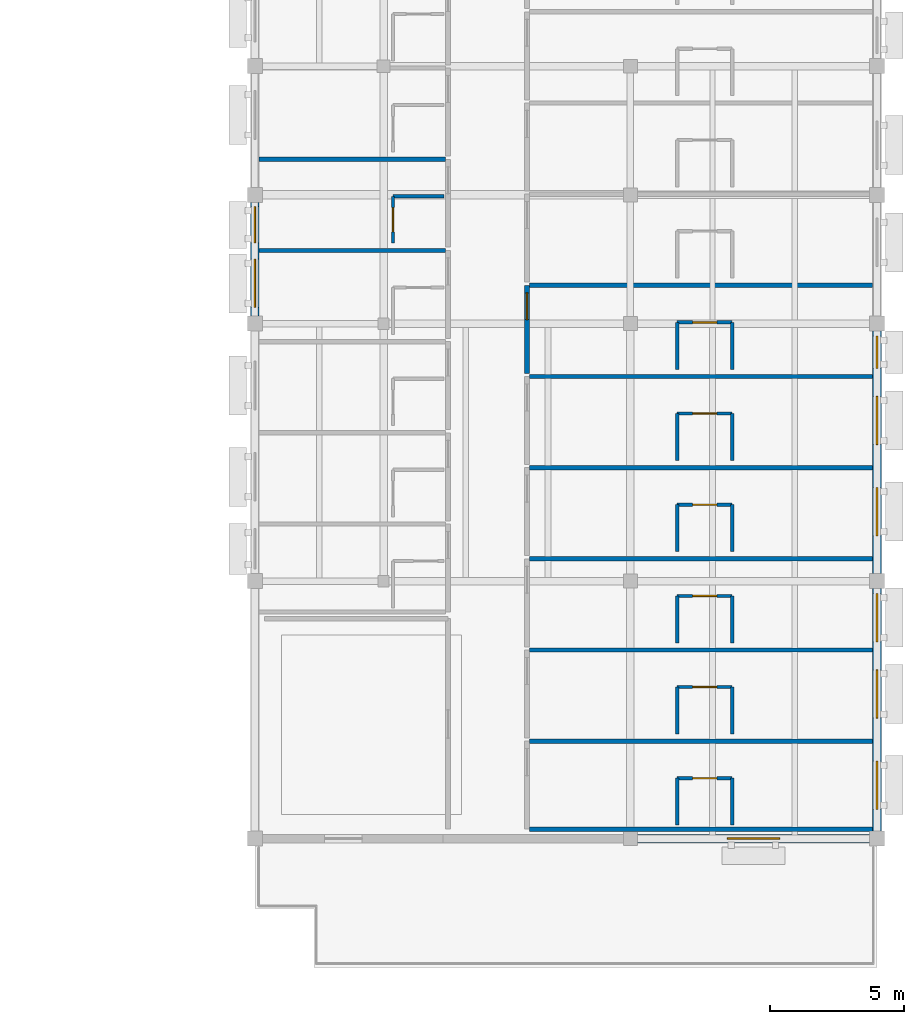
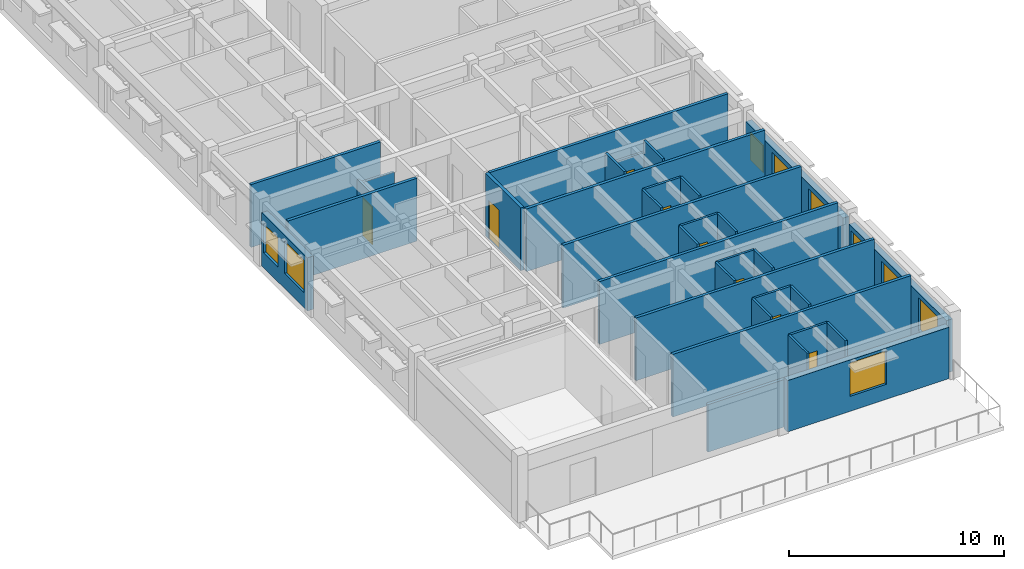
# One storey, part 26 of 40: 34 walls, 9 windows, 8 doors, 17 openings.
"""IFC4 building model written with IfcOpenShell, lengths in metres."""

from ifc_helpers import new_model, si_unit, direction, frame, frame_2d, origin, place, context, subcontext, project, spatial, rectangle, extrude, material, layer, layer_set, type_object, element, fill, save


model = new_model("IFC4")

# Units and contexts
model_context = context("Model", 3, precision=1e-05, world=origin(), true_north=direction((0.0, 1.0)))
body_context = subcontext(model_context, "Body", "Model", "MODEL_VIEW")
ifc_project = project(units=[si_unit("LENGTHUNIT", "METRE"), si_unit("AREAUNIT", "SQUARE_METRE"), si_unit("VOLUMEUNIT", "CUBIC_METRE"), si_unit("PLANEANGLEUNIT", "RADIAN"), si_unit("MASSUNIT", "GRAM", prefix="KILO")], contexts=[model_context])

# Site, building, storey
site_placement = place(None, origin())
site = spatial("IfcSite", under=ifc_project, at=site_placement, CompositionType="ELEMENT")
building_placement = place(site_placement, origin())
building = spatial("IfcBuilding", under=site, at=building_placement, Name="Veldera Park Congress Hotel", CompositionType="ELEMENT")
storey_placement = place(building_placement, frame((0.0, 0.0, 16.199951171875)))
storey = spatial("IfcBuildingStorey", under=building, at=storey_placement, Name="L03", CompositionType="ELEMENT", Elevation=16.199951171875)

# Wall, opening, window
ifc_material_1 = material(Name="Cross-laminated timber CLT V2M1.1", Category="wood")
ifc_layer_1 = layer(ifc_material_1, 0.320068359375)
ifc_layer_set_1 = layer_set([ifc_layer_1], Name="Cross-laminated timber CLT V2M1.1")
wall_type_1 = type_object("IfcWallType", Name="EW-CLT320", PredefinedType="STANDARD", material=ifc_layer_set_1)
wall_1_placement = place(storey_placement, frame((75.05810546875, -47.39990234375, 0.0), z_axis=(0.0, 0.0, 1.0), x_axis=(1.0, 0.0, 0.0)))
wall_1 = element("IfcWall", 1, at=wall_1_placement, inside=storey, type_object=wall_type_1, Name="L03 Exterior Wall EW3-L03-0210", PredefinedType="STANDARD", context=body_context, shape_type="SweptSolid", body=[
    extrude(rectangle(XDim=8.663818359375, YDim=0.320068359375, at=frame_2d((4.33203125, 0.0))), origin(), (0.0, 0.0, 1.0), 2.9150390625),
])
opening_1_placement = place(wall_1_placement, frame((3.35693359375, 0.0, 0.85009765625)))
opening_1 = element("IfcOpeningElement", 2, at=opening_1_placement, cuts=wall_1, Name="Opening WIN-1950", PredefinedType="OPENING", context=body_context, shape_type="SweptSolid", body=[
    extrude(rectangle(XDim=1.949951171875, YDim=1.89990234375, at=frame_2d((0.97509765625, 0.949951171875))), frame((0.0, 0.172119140625, 0.0), z_axis=(0.0, -1.0, 0.0), x_axis=(1.0, 0.0, 0.0)), (0.0, 0.0, 1.0), 0.343994140625),
])
ifc_material_2 = material(Name="Low-E Triple Insulating Glass Unit (SHGC 0.22)", Category="glass")
window_type_1 = type_object("IfcWindowType", Name="WIN-1950", PartitioningType="DOUBLE_PANEL_VERTICAL", PredefinedType="WINDOW", material=ifc_material_2)
window_1_placement = place(opening_1_placement, origin())
window_1 = element("IfcWindow", 3, at=window_1_placement, inside=storey, type_object=window_type_1, Name="L03 Window WIN-1950 187", OverallHeight=1.89990234375, OverallWidth=1.949951171875, PartitioningType="DOUBLE_PANEL_VERTICAL", PredefinedType="WINDOW", context=body_context, shape_type="SweptSolid", body=[
    extrude(rectangle(XDim=1.949951171875, YDim=1.89990234375, at=frame_2d((0.97509765625, 0.949951171875))), frame((0.0, 0.030029296875, 0.0), z_axis=(0.0, -1.0, 0.0), x_axis=(1.0, 0.0, 0.0)), (0.0, 0.0, 1.0), 0.06005859375),
])
fill(opening_1, window_1)

# Wall, openings, windows
wall_2_placement = place(storey_placement, frame((84.0, -47.1220703125, 0.0), z_axis=(0.0, 0.0, 1.0), x_axis=(0.0, 1.0, 0.0)))
wall_2 = element("IfcWall", 4, at=wall_2_placement, inside=storey, type_object=wall_type_1, Name="L03 Exterior Wall EW3-L03-0211", PredefinedType="STANDARD", context=body_context, shape_type="SweptSolid", body=[
    extrude(rectangle(XDim=9.044189453125, YDim=0.320068359375, at=frame_2d((4.52197265625, 0.0))), origin(), (0.0, 0.0, 1.0), 2.97509765625),
])
opening_2_placement = place(wall_2_placement, frame((0.81201171875, 0.0, 0.85009765625)))
opening_2 = element("IfcOpeningElement", 5, at=opening_2_placement, cuts=wall_2, Name="Opening WIN-1800", PredefinedType="OPENING", context=body_context, shape_type="SweptSolid", body=[
    extrude(rectangle(XDim=1.800048828125, YDim=1.85009765625, at=frame_2d((0.89990234375, 0.925048828125))), frame((0.0, 0.172119140625, 0.0), z_axis=(0.0, -1.0, 0.0), x_axis=(1.0, 0.0, 0.0)), (0.0, 0.0, 1.0), 0.343994140625),
])
opening_3_placement = place(wall_2_placement, frame((4.2119140625, 0.0, 0.85009765625)))
opening_3 = element("IfcOpeningElement", 6, at=opening_3_placement, cuts=wall_2, Name="Opening WIN-1800", PredefinedType="OPENING", context=body_context, shape_type="SweptSolid", body=[
    extrude(rectangle(XDim=1.800048828125, YDim=1.85009765625, at=frame_2d((0.89990234375, 0.925048828125))), frame((0.0, 0.172119140625, 0.0), z_axis=(0.0, -1.0, 0.0), x_axis=(1.0, 0.0, 0.0)), (0.0, 0.0, 1.0), 0.343994140625),
])
opening_4_placement = place(wall_2_placement, frame((7.05810546875, 0.0, 0.85009765625)))
opening_4 = element("IfcOpeningElement", 7, at=opening_4_placement, cuts=wall_2, Name="Opening WIN-1800", PredefinedType="OPENING", context=body_context, shape_type="SweptSolid", body=[
    extrude(rectangle(XDim=1.800048828125, YDim=1.85009765625, at=frame_2d((0.89990234375, 0.925048828125))), frame((0.0, 0.172119140625, 0.0), z_axis=(0.0, -1.0, 0.0), x_axis=(1.0, 0.0, 0.0)), (0.0, 0.0, 1.0), 0.343994140625),
])
window_type_2 = type_object("IfcWindowType", Name="WIN-1800", PartitioningType="SINGLE_PANEL", PredefinedType="WINDOW", material=ifc_material_2)
window_2_placement = place(opening_2_placement, origin())
window_2 = element("IfcWindow", 8, at=window_2_placement, inside=storey, type_object=window_type_2, Name="L03 Window WIN-1800 418", OverallHeight=1.85009765625, OverallWidth=1.800048828125, PartitioningType="SINGLE_PANEL", PredefinedType="WINDOW", context=body_context, shape_type="SweptSolid", body=[
    extrude(rectangle(XDim=1.800048828125, YDim=1.85009765625, at=frame_2d((0.89990234375, 0.925048828125))), frame((0.0, 0.030029296875, 0.0), z_axis=(0.0, -1.0, 0.0), x_axis=(1.0, 0.0, 0.0)), (0.0, 0.0, 1.0), 0.06005859375),
])
fill(opening_2, window_2)
window_3_placement = place(opening_3_placement, origin())
window_3 = element("IfcWindow", 9, at=window_3_placement, inside=storey, type_object=window_type_2, Name="L03 Window WIN-1800 419", OverallHeight=1.85009765625, OverallWidth=1.800048828125, PartitioningType="SINGLE_PANEL", PredefinedType="WINDOW", context=body_context, shape_type="SweptSolid", body=[
    extrude(rectangle(XDim=1.800048828125, YDim=1.85009765625, at=frame_2d((0.89990234375, 0.925048828125))), frame((0.0, 0.030029296875, 0.0), z_axis=(0.0, -1.0, 0.0), x_axis=(1.0, 0.0, 0.0)), (0.0, 0.0, 1.0), 0.06005859375),
])
fill(opening_3, window_3)
window_4_placement = place(opening_4_placement, origin())
window_4 = element("IfcWindow", 10, at=window_4_placement, inside=storey, type_object=window_type_2, Name="L03 Window WIN-1800 420", OverallHeight=1.85009765625, OverallWidth=1.800048828125, PartitioningType="SINGLE_PANEL", PredefinedType="WINDOW", context=body_context, shape_type="SweptSolid", body=[
    extrude(rectangle(XDim=1.800048828125, YDim=1.85009765625, at=frame_2d((0.89990234375, 0.925048828125))), frame((0.0, 0.030029296875, 0.0), z_axis=(0.0, -1.0, 0.0), x_axis=(1.0, 0.0, 0.0)), (0.0, 0.0, 1.0), 0.06005859375),
])
fill(opening_4, window_4)

wall_3_placement = place(storey_placement, frame((84.0, -37.52197265625, 0.0), z_axis=(0.0, 0.0, 1.0), x_axis=(0.0, 1.0, 0.0)))
wall_3 = element("IfcWall", 11, at=wall_3_placement, inside=storey, type_object=wall_type_1, Name="L03 Exterior Wall EW3-L03-0212", PredefinedType="STANDARD", context=body_context, shape_type="SweptSolid", body=[
    extrude(rectangle(XDim=9.0439453125, YDim=0.320068359375, at=frame_2d((4.52197265625, 0.0))), origin(), (0.0, 0.0, 1.0), 2.97509765625),
])
opening_5_placement = place(wall_3_placement, frame((1.412109375, 0.0, 0.85009765625)))
opening_5 = element("IfcOpeningElement", 12, at=opening_5_placement, cuts=wall_3, Name="Opening WIN-1800", PredefinedType="OPENING", context=body_context, shape_type="SweptSolid", body=[
    extrude(rectangle(XDim=1.800048828125, YDim=1.85009765625, at=frame_2d((0.89990234375, 0.925048828125))), frame((0.0, 0.172119140625, 0.0), z_axis=(0.0, -1.0, 0.0), x_axis=(1.0, 0.0, 0.0)), (0.0, 0.0, 1.0), 0.343994140625),
])
opening_6_placement = place(wall_3_placement, frame((4.81201171875, 0.0, 0.85009765625)))
opening_6 = element("IfcOpeningElement", 13, at=opening_6_placement, cuts=wall_3, Name="Opening WIN-1800", PredefinedType="OPENING", context=body_context, shape_type="SweptSolid", body=[
    extrude(rectangle(XDim=1.800048828125, YDim=1.85009765625, at=frame_2d((0.89990234375, 0.925048828125))), frame((0.0, 0.172119140625, 0.0), z_axis=(0.0, -1.0, 0.0), x_axis=(1.0, 0.0, 0.0)), (0.0, 0.0, 1.0), 0.343994140625),
])
opening_7_placement = place(wall_3_placement, frame((7.657958984375, 0.0, 0.85009765625)))
opening_7 = element("IfcOpeningElement", 14, at=opening_7_placement, cuts=wall_3, Name="Opening WIN-1200", PredefinedType="OPENING", context=body_context, shape_type="SweptSolid", body=[
    extrude(rectangle(XDim=1.199951171875, YDim=1.550048828125, at=frame_2d((0.60009765625, 0.77490234375))), frame((0.0, 0.172119140625, 0.0), z_axis=(0.0, -1.0, 0.0), x_axis=(1.0, 0.0, 0.0)), (0.0, 0.0, 1.0), 0.343994140625),
])
window_type_3 = type_object("IfcWindowType", Name="WIN-1200", PartitioningType="SINGLE_PANEL", PredefinedType="WINDOW", material=ifc_material_2)
window_5_placement = place(opening_7_placement, origin())
window_5 = element("IfcWindow", 15, at=window_5_placement, inside=storey, type_object=window_type_3, Name="L03 Window WIN-1200 423", OverallHeight=1.550048828125, OverallWidth=1.199951171875, PartitioningType="SINGLE_PANEL", PredefinedType="WINDOW", context=body_context, shape_type="SweptSolid", body=[
    extrude(rectangle(XDim=1.199951171875, YDim=1.550048828125, at=frame_2d((0.60009765625, 0.77490234375))), frame((0.0, 0.030029296875, 0.0), z_axis=(0.0, -1.0, 0.0), x_axis=(1.0, 0.0, 0.0)), (0.0, 0.0, 1.0), 0.06005859375),
])
fill(opening_7, window_5)
window_6_placement = place(opening_5_placement, origin())
window_6 = element("IfcWindow", 16, at=window_6_placement, inside=storey, type_object=window_type_2, Name="L03 Window WIN-1800 421", OverallHeight=1.85009765625, OverallWidth=1.800048828125, PartitioningType="SINGLE_PANEL", PredefinedType="WINDOW", context=body_context, shape_type="SweptSolid", body=[
    extrude(rectangle(XDim=1.800048828125, YDim=1.85009765625, at=frame_2d((0.89990234375, 0.925048828125))), frame((0.0, 0.030029296875, 0.0), z_axis=(0.0, -1.0, 0.0), x_axis=(1.0, 0.0, 0.0)), (0.0, 0.0, 1.0), 0.06005859375),
])
fill(opening_5, window_6)
window_7_placement = place(opening_6_placement, origin())
window_7 = element("IfcWindow", 17, at=window_7_placement, inside=storey, type_object=window_type_2, Name="L03 Window WIN-1800 422", OverallHeight=1.85009765625, OverallWidth=1.800048828125, PartitioningType="SINGLE_PANEL", PredefinedType="WINDOW", context=body_context, shape_type="SweptSolid", body=[
    extrude(rectangle(XDim=1.800048828125, YDim=1.85009765625, at=frame_2d((0.89990234375, 0.925048828125))), frame((0.0, 0.030029296875, 0.0), z_axis=(0.0, -1.0, 0.0), x_axis=(1.0, 0.0, 0.0)), (0.0, 0.0, 1.0), 0.06005859375),
])
fill(opening_6, window_7)

wall_4_placement = place(storey_placement, frame((60.800048828125, -23.677978515625, 0.0), z_axis=(0.0, 0.0, 1.0), x_axis=(0.0, -1.0, 0.0)))
wall_4 = element("IfcWall", 18, at=wall_4_placement, inside=storey, type_object=wall_type_1, Name="L03 Exterior Wall EW3-L03-0239", PredefinedType="STANDARD", context=body_context, shape_type="SweptSolid", body=[
    extrude(rectangle(XDim=4.244140625, YDim=0.320068359375, at=frame_2d((2.1220703125, 0.0))), origin(), (0.0, 0.0, 1.0), 3.01513671875),
])
opening_8_placement = place(wall_4_placement, frame((2.117919921875, 0.0, 0.85009765625)))
opening_8 = element("IfcOpeningElement", 19, at=opening_8_placement, cuts=wall_4, Name="Opening WIN-1800", PredefinedType="OPENING", context=body_context, shape_type="SweptSolid", body=[
    extrude(rectangle(XDim=1.800048828125, YDim=1.85009765625, at=frame_2d((0.89990234375, 0.925048828125))), frame((0.0, 0.172119140625, 0.0), z_axis=(0.0, -1.0, 0.0), x_axis=(1.0, 0.0, 0.0)), (0.0, 0.0, 1.0), 0.343994140625),
])
opening_9_placement = place(wall_4_placement, frame((0.160888671875, 0.0, 0.85009765625)))
opening_9 = element("IfcOpeningElement", 20, at=opening_9_placement, cuts=wall_4, Name="Opening WIN-1350", PredefinedType="OPENING", context=body_context, shape_type="SweptSolid", body=[
    extrude(rectangle(XDim=1.35009765625, YDim=1.64990234375, at=frame_2d((0.675048828125, 0.824951171875))), frame((0.0, 0.172119140625, 0.0), z_axis=(0.0, -1.0, 0.0), x_axis=(1.0, 0.0, 0.0)), (0.0, 0.0, 1.0), 0.343994140625),
])
window_type_4 = type_object("IfcWindowType", Name="WIN-1350", PartitioningType="SINGLE_PANEL", PredefinedType="WINDOW", material=ifc_material_2)
window_8_placement = place(opening_9_placement, origin())
window_8 = element("IfcWindow", 21, at=window_8_placement, inside=storey, type_object=window_type_4, Name="L03 Window WIN-1350 403", OverallHeight=1.64990234375, OverallWidth=1.35009765625, PartitioningType="SINGLE_PANEL", PredefinedType="WINDOW", context=body_context, shape_type="SweptSolid", body=[
    extrude(rectangle(XDim=1.35009765625, YDim=1.64990234375, at=frame_2d((0.675048828125, 0.824951171875))), frame((0.0, 0.030029296875, 0.0), z_axis=(0.0, -1.0, 0.0), x_axis=(1.0, 0.0, 0.0)), (0.0, 0.0, 1.0), 0.06005859375),
])
fill(opening_9, window_8)
window_9_placement = place(opening_8_placement, origin())
window_9 = element("IfcWindow", 22, at=window_9_placement, inside=storey, type_object=window_type_2, Name="L03 Window WIN-1800 402", OverallHeight=1.85009765625, OverallWidth=1.800048828125, PartitioningType="SINGLE_PANEL", PredefinedType="WINDOW", context=body_context, shape_type="SweptSolid", body=[
    extrude(rectangle(XDim=1.800048828125, YDim=1.85009765625, at=frame_2d((0.89990234375, 0.925048828125))), frame((0.0, 0.030029296875, 0.0), z_axis=(0.0, -1.0, 0.0), x_axis=(1.0, 0.0, 0.0)), (0.0, 0.0, 1.0), 0.06005859375),
])
fill(opening_8, window_9)

# Wall, opening, door
ifc_material_3 = material(Name="Fire-Rated Gypsum Board on Cold-Formed Steel Studs", Category="steel")
ifc_layer_2 = layer(ifc_material_3, 0.1201171875)
ifc_layer_set_2 = layer_set([ifc_layer_2], Name="Fire-Rated Gypsum Board on Cold-Formed Steel Studs")
wall_type_2 = type_object("IfcWallType", Name="IW-BATH120", PredefinedType="PARTITIONING", material=ifc_layer_set_2)
wall_5_placement = place(storey_placement, frame((65.949951171875, -25.199951171875, 0.0), z_axis=(0.0, 0.0, 1.0), x_axis=(0.0, 1.0, 0.0)))
wall_5 = element("IfcWall", 23, at=wall_5_placement, inside=storey, type_object=wall_type_2, Name="L03 Partition Wall IW3-L03-00606", PredefinedType="PARTITIONING", context=body_context, shape_type="SweptSolid", body=[
    extrude(rectangle(XDim=1.75, YDim=0.1201171875, at=frame_2d((0.875, 0.0))), origin(), (0.0, 0.0, 1.0), 2.9150390625),
])
opening_10_placement = place(wall_5_placement, frame((0.425048828125, 0.0, 0.0)))
opening_10 = element("IfcOpeningElement", 24, at=opening_10_placement, cuts=wall_5, Name="Opening ID-BATH090", PredefinedType="OPENING", context=body_context, shape_type="SweptSolid", body=[
    extrude(rectangle(XDim=0.89990234375, YDim=2.14990234375, at=frame_2d((0.449951171875, 1.074951171875))), frame((0.0, 0.072021484375, 0.0), z_axis=(0.0, -1.0, 0.0), x_axis=(1.0, 0.0, 0.0)), (0.0, 0.0, 1.0), 0.14404296875),
])
ifc_material_4 = material(Name="Solid Core White Oak Architectural Door", Category="wood")
door_type_1 = type_object("IfcDoorType", Name="ID-BATH090", OperationType="NOTDEFINED", PredefinedType="DOOR", material=ifc_material_4)
door_1_placement = place(opening_10_placement, origin())
door_1 = element("IfcDoor", 25, at=door_1_placement, inside=storey, type_object=door_type_1, Name="L03 En-suite 053 Door ID3-L03-0245 (DR3-ID3-L03-0245)", OperationType="SINGLE_SWING_LEFT", OverallHeight=2.14990234375, OverallWidth=0.89990234375, PredefinedType="DOOR", context=body_context, shape_type="SweptSolid", body=[
    extrude(rectangle(XDim=0.89990234375, YDim=2.14990234375, at=frame_2d((0.449951171875, 1.074951171875))), frame((0.0, 0.02490234375, 0.0), z_axis=(0.0, -1.0, 0.0), x_axis=(1.0, 0.0, 0.0)), (0.0, 0.0, 1.0), 0.050048828125),
])
fill(opening_10, door_1)

# Walls
wall_6_placement = place(storey_placement, frame((65.949951171875, -23.449951171875, 0.0), z_axis=(0.0, 0.0, 1.0), x_axis=(1.0, 0.0, 0.0)))
element("IfcWall", 26, at=wall_6_placement, inside=storey, type_object=wall_type_2, Name="L03 Partition Wall IW3-L03-00607", PredefinedType="PARTITIONING", context=body_context, shape_type="SweptSolid", body=[
    extrude(rectangle(XDim=1.900146484375, YDim=0.1201171875, at=frame_2d((0.9501953125, 0.0))), origin(), (0.0, 0.0, 1.0), 2.695068359375),
])
for number, where, z_axis, x_axis, name in (
    (27, (76.550048828125, -46.89990234375, 0.0), (0.0, 0.0, 1.0), (0.0, 1.0, 0.0), "L03 Partition Wall IW3-L03-00671"),
    (28, (78.60009765625, -46.89990234375, 0.0), (0.0, 0.0, 1.0), (0.0, 1.0, 0.0), "L03 Partition Wall IW3-L03-00672"),
):
    element("IfcWall", number, at=place(storey_placement, frame(where, z_axis=z_axis, x_axis=x_axis)), inside=storey, type_object=wall_type_2, Name=name, PredefinedType="PARTITIONING", context=body_context, shape_type="SweptSolid", body=[
        extrude(rectangle(XDim=1.75, YDim=0.1201171875, at=frame_2d((0.875, 0.0))), origin(), (0.0, 0.0, 1.0), 3.56005859375),
    ])

# Wall, opening, door
wall_7_placement = place(storey_placement, frame((76.550048828125, -45.14990234375, 0.0), z_axis=(0.0, 0.0, 1.0), x_axis=(1.0, 0.0, 0.0)))
wall_7 = element("IfcWall", 29, at=wall_7_placement, inside=storey, type_object=wall_type_2, Name="L03 Partition Wall IW3-L03-00673", PredefinedType="PARTITIONING", context=body_context, shape_type="SweptSolid", body=[
    extrude(rectangle(XDim=2.050048828125, YDim=0.1201171875, at=frame_2d((1.02490234375, 0.0))), origin(), (0.0, 0.0, 1.0), 3.56005859375),
])
opening_11_placement = place(wall_7_placement, frame((0.574951171875, 0.0, 0.0)))
opening_11 = element("IfcOpeningElement", 30, at=opening_11_placement, cuts=wall_7, Name="Opening ID-BATH090", PredefinedType="OPENING", context=body_context, shape_type="SweptSolid", body=[
    extrude(rectangle(XDim=0.89990234375, YDim=2.14990234375, at=frame_2d((0.449951171875, 1.074951171875))), frame((0.0, 0.072021484375, 0.0), z_axis=(0.0, -1.0, 0.0), x_axis=(1.0, 0.0, 0.0)), (0.0, 0.0, 1.0), 0.14404296875),
])
door_2_placement = place(opening_11_placement, origin())
door_2 = element("IfcDoor", 31, at=door_2_placement, inside=storey, type_object=door_type_1, Name="L03 En-suite 069 Door ID3-L03-0277 (DR3-ID3-L03-0277)", OperationType="SINGLE_SWING_LEFT", OverallHeight=2.14990234375, OverallWidth=0.89990234375, PredefinedType="DOOR", context=body_context, shape_type="SweptSolid", body=[
    extrude(rectangle(XDim=0.89990234375, YDim=2.14990234375, at=frame_2d((0.449951171875, 1.074951171875))), frame((0.0, 0.02490234375, 0.0), z_axis=(0.0, -1.0, 0.0), x_axis=(1.0, 0.0, 0.0)), (0.0, 0.0, 1.0), 0.050048828125),
])
fill(opening_11, door_2)

# Walls
for number, where, z_axis, x_axis, name in (
    (32, (76.550048828125, -43.5, 0.0), (0.0, 0.0, 1.0), (0.0, 1.0, 0.0), "L03 Partition Wall IW3-L03-00676"),
    (33, (78.60009765625, -43.5, 0.0), (0.0, 0.0, 1.0), (0.0, 1.0, 0.0), "L03 Partition Wall IW3-L03-00677"),
):
    element("IfcWall", number, at=place(storey_placement, frame(where, z_axis=z_axis, x_axis=x_axis)), inside=storey, type_object=wall_type_2, Name=name, PredefinedType="PARTITIONING", context=body_context, shape_type="SweptSolid", body=[
        extrude(rectangle(XDim=1.75, YDim=0.1201171875, at=frame_2d((0.875, 0.0))), origin(), (0.0, 0.0, 1.0), 3.56005859375),
    ])

# Wall, opening, door
wall_8_placement = place(storey_placement, frame((76.550048828125, -41.75, 0.0), z_axis=(0.0, 0.0, 1.0), x_axis=(1.0, 0.0, 0.0)))
wall_8 = element("IfcWall", 34, at=wall_8_placement, inside=storey, type_object=wall_type_2, Name="L03 Partition Wall IW3-L03-00678", PredefinedType="PARTITIONING", context=body_context, shape_type="SweptSolid", body=[
    extrude(rectangle(XDim=2.050048828125, YDim=0.1201171875, at=frame_2d((1.02490234375, 0.0))), origin(), (0.0, 0.0, 1.0), 3.56005859375),
])
opening_12_placement = place(wall_8_placement, frame((0.574951171875, 0.0, 0.0)))
opening_12 = element("IfcOpeningElement", 35, at=opening_12_placement, cuts=wall_8, Name="Opening ID-BATH090", PredefinedType="OPENING", context=body_context, shape_type="SweptSolid", body=[
    extrude(rectangle(XDim=0.89990234375, YDim=2.14990234375, at=frame_2d((0.449951171875, 1.074951171875))), frame((0.0, 0.072021484375, 0.0), z_axis=(0.0, -1.0, 0.0), x_axis=(1.0, 0.0, 0.0)), (0.0, 0.0, 1.0), 0.14404296875),
])
door_3_placement = place(opening_12_placement, origin())
door_3 = element("IfcDoor", 36, at=door_3_placement, inside=storey, type_object=door_type_1, Name="L03 En-suite 070 Door ID3-L03-0279 (DR3-ID3-L03-0279)", OperationType="SINGLE_SWING_LEFT", OverallHeight=2.14990234375, OverallWidth=0.89990234375, PredefinedType="DOOR", context=body_context, shape_type="SweptSolid", body=[
    extrude(rectangle(XDim=0.89990234375, YDim=2.14990234375, at=frame_2d((0.449951171875, 1.074951171875))), frame((0.0, 0.02490234375, 0.0), z_axis=(0.0, -1.0, 0.0), x_axis=(1.0, 0.0, 0.0)), (0.0, 0.0, 1.0), 0.050048828125),
])
fill(opening_12, door_3)

# Walls
for number, where, z_axis, x_axis, name in (
    (37, (76.550048828125, -40.10009765625, 0.0), (0.0, 0.0, 1.0), (0.0, 1.0, 0.0), "L03 Partition Wall IW3-L03-00681"),
    (38, (78.60009765625, -40.10009765625, 0.0), (0.0, 0.0, 1.0), (0.0, 1.0, 0.0), "L03 Partition Wall IW3-L03-00682"),
):
    element("IfcWall", number, at=place(storey_placement, frame(where, z_axis=z_axis, x_axis=x_axis)), inside=storey, type_object=wall_type_2, Name=name, PredefinedType="PARTITIONING", context=body_context, shape_type="SweptSolid", body=[
        extrude(rectangle(XDim=1.75, YDim=0.1201171875, at=frame_2d((0.875, 0.0))), origin(), (0.0, 0.0, 1.0), 3.56005859375),
    ])

# Wall, opening, door
wall_9_placement = place(storey_placement, frame((76.550048828125, -38.35009765625, 0.0), z_axis=(0.0, 0.0, 1.0), x_axis=(1.0, 0.0, 0.0)))
wall_9 = element("IfcWall", 39, at=wall_9_placement, inside=storey, type_object=wall_type_2, Name="L03 Partition Wall IW3-L03-00683", PredefinedType="PARTITIONING", context=body_context, shape_type="SweptSolid", body=[
    extrude(rectangle(XDim=2.050048828125, YDim=0.1201171875, at=frame_2d((1.02490234375, 0.0))), origin(), (0.0, 0.0, 1.0), 3.56005859375),
])
opening_13_placement = place(wall_9_placement, frame((0.574951171875, 0.0, 0.0)))
opening_13 = element("IfcOpeningElement", 40, at=opening_13_placement, cuts=wall_9, Name="Opening ID-BATH090", PredefinedType="OPENING", context=body_context, shape_type="SweptSolid", body=[
    extrude(rectangle(XDim=0.89990234375, YDim=2.14990234375, at=frame_2d((0.449951171875, 1.074951171875))), frame((0.0, 0.072021484375, 0.0), z_axis=(0.0, -1.0, 0.0), x_axis=(1.0, 0.0, 0.0)), (0.0, 0.0, 1.0), 0.14404296875),
])
door_4_placement = place(opening_13_placement, origin())
door_4 = element("IfcDoor", 41, at=door_4_placement, inside=storey, type_object=door_type_1, Name="L03 En-suite 071 Door ID3-L03-0281 (DR3-ID3-L03-0281)", OperationType="SINGLE_SWING_LEFT", OverallHeight=2.14990234375, OverallWidth=0.89990234375, PredefinedType="DOOR", context=body_context, shape_type="SweptSolid", body=[
    extrude(rectangle(XDim=0.89990234375, YDim=2.14990234375, at=frame_2d((0.449951171875, 1.074951171875))), frame((0.0, 0.02490234375, 0.0), z_axis=(0.0, -1.0, 0.0), x_axis=(1.0, 0.0, 0.0)), (0.0, 0.0, 1.0), 0.050048828125),
])
fill(opening_13, door_4)

# Walls
for number, where, z_axis, x_axis, name in (
    (42, (76.550048828125, -36.699951171875, 0.0), (0.0, 0.0, 1.0), (0.0, 1.0, 0.0), "L03 Partition Wall IW3-L03-00686"),
    (43, (78.60009765625, -36.699951171875, 0.0), (0.0, 0.0, 1.0), (0.0, 1.0, 0.0), "L03 Partition Wall IW3-L03-00687"),
):
    element("IfcWall", number, at=place(storey_placement, frame(where, z_axis=z_axis, x_axis=x_axis)), inside=storey, type_object=wall_type_2, Name=name, PredefinedType="PARTITIONING", context=body_context, shape_type="SweptSolid", body=[
        extrude(rectangle(XDim=1.75, YDim=0.1201171875, at=frame_2d((0.875, 0.0))), origin(), (0.0, 0.0, 1.0), 3.56005859375),
    ])

# Wall, opening, door
wall_10_placement = place(storey_placement, frame((76.550048828125, -34.949951171875, 0.0), z_axis=(0.0, 0.0, 1.0), x_axis=(1.0, 0.0, 0.0)))
wall_10 = element("IfcWall", 44, at=wall_10_placement, inside=storey, type_object=wall_type_2, Name="L03 Partition Wall IW3-L03-00688", PredefinedType="PARTITIONING", context=body_context, shape_type="SweptSolid", body=[
    extrude(rectangle(XDim=2.050048828125, YDim=0.1201171875, at=frame_2d((1.02490234375, 0.0))), origin(), (0.0, 0.0, 1.0), 3.56005859375),
])
opening_14_placement = place(wall_10_placement, frame((0.574951171875, 0.0, 0.0)))
opening_14 = element("IfcOpeningElement", 45, at=opening_14_placement, cuts=wall_10, Name="Opening ID-BATH090", PredefinedType="OPENING", context=body_context, shape_type="SweptSolid", body=[
    extrude(rectangle(XDim=0.89990234375, YDim=2.14990234375, at=frame_2d((0.449951171875, 1.074951171875))), frame((0.0, 0.072021484375, 0.0), z_axis=(0.0, -1.0, 0.0), x_axis=(1.0, 0.0, 0.0)), (0.0, 0.0, 1.0), 0.14404296875),
])
door_5_placement = place(opening_14_placement, origin())
door_5 = element("IfcDoor", 46, at=door_5_placement, inside=storey, type_object=door_type_1, Name="L03 En-suite 072 Door ID3-L03-0283 (DR3-ID3-L03-0283)", OperationType="SINGLE_SWING_LEFT", OverallHeight=2.14990234375, OverallWidth=0.89990234375, PredefinedType="DOOR", context=body_context, shape_type="SweptSolid", body=[
    extrude(rectangle(XDim=0.89990234375, YDim=2.14990234375, at=frame_2d((0.449951171875, 1.074951171875))), frame((0.0, 0.02490234375, 0.0), z_axis=(0.0, -1.0, 0.0), x_axis=(1.0, 0.0, 0.0)), (0.0, 0.0, 1.0), 0.050048828125),
])
fill(opening_14, door_5)

# Walls
for number, where, z_axis, x_axis, name in (
    (47, (76.550048828125, -33.300048828125, 0.0), (0.0, 0.0, 1.0), (0.0, 1.0, 0.0), "L03 Partition Wall IW3-L03-00691"),
    (48, (78.60009765625, -33.300048828125, 0.0), (0.0, 0.0, 1.0), (0.0, 1.0, 0.0), "L03 Partition Wall IW3-L03-00692"),
):
    element("IfcWall", number, at=place(storey_placement, frame(where, z_axis=z_axis, x_axis=x_axis)), inside=storey, type_object=wall_type_2, Name=name, PredefinedType="PARTITIONING", context=body_context, shape_type="SweptSolid", body=[
        extrude(rectangle(XDim=1.75, YDim=0.1201171875, at=frame_2d((0.875, 0.0))), origin(), (0.0, 0.0, 1.0), 3.56005859375),
    ])

# Wall, opening, door
wall_11_placement = place(storey_placement, frame((76.550048828125, -31.550048828125, 0.0), z_axis=(0.0, 0.0, 1.0), x_axis=(1.0, 0.0, 0.0)))
wall_11 = element("IfcWall", 49, at=wall_11_placement, inside=storey, type_object=wall_type_2, Name="L03 Partition Wall IW3-L03-00693", PredefinedType="PARTITIONING", context=body_context, shape_type="SweptSolid", body=[
    extrude(rectangle(XDim=2.050048828125, YDim=0.1201171875, at=frame_2d((1.02490234375, 0.0))), origin(), (0.0, 0.0, 1.0), 3.56005859375),
])
opening_15_placement = place(wall_11_placement, frame((0.574951171875, 0.0, 0.0)))
opening_15 = element("IfcOpeningElement", 50, at=opening_15_placement, cuts=wall_11, Name="Opening ID-BATH090", PredefinedType="OPENING", context=body_context, shape_type="SweptSolid", body=[
    extrude(rectangle(XDim=0.89990234375, YDim=2.14990234375, at=frame_2d((0.449951171875, 1.074951171875))), frame((0.0, 0.072021484375, 0.0), z_axis=(0.0, -1.0, 0.0), x_axis=(1.0, 0.0, 0.0)), (0.0, 0.0, 1.0), 0.14404296875),
])
door_6_placement = place(opening_15_placement, origin())
door_6 = element("IfcDoor", 51, at=door_6_placement, inside=storey, type_object=door_type_1, Name="L03 En-suite 073 Door ID3-L03-0285 (DR3-ID3-L03-0285)", OperationType="SINGLE_SWING_LEFT", OverallHeight=2.14990234375, OverallWidth=0.89990234375, PredefinedType="DOOR", context=body_context, shape_type="SweptSolid", body=[
    extrude(rectangle(XDim=0.89990234375, YDim=2.14990234375, at=frame_2d((0.449951171875, 1.074951171875))), frame((0.0, 0.02490234375, 0.0), z_axis=(0.0, -1.0, 0.0), x_axis=(1.0, 0.0, 0.0)), (0.0, 0.0, 1.0), 0.050048828125),
])
fill(opening_15, door_6)

# Walls
for number, where, z_axis, x_axis, name in (
    (52, (76.550048828125, -29.89990234375, 0.0), (0.0, 0.0, 1.0), (0.0, 1.0, 0.0), "L03 Partition Wall IW3-L03-00696"),
    (53, (78.60009765625, -29.89990234375, 0.0), (0.0, 0.0, 1.0), (0.0, 1.0, 0.0), "L03 Partition Wall IW3-L03-00697"),
):
    element("IfcWall", number, at=place(storey_placement, frame(where, z_axis=z_axis, x_axis=x_axis)), inside=storey, type_object=wall_type_2, Name=name, PredefinedType="PARTITIONING", context=body_context, shape_type="SweptSolid", body=[
        extrude(rectangle(XDim=1.75, YDim=0.1201171875, at=frame_2d((0.875, 0.0))), origin(), (0.0, 0.0, 1.0), 3.56005859375),
    ])

# Wall, opening, door
wall_12_placement = place(storey_placement, frame((76.550048828125, -28.14990234375, 0.0), z_axis=(0.0, 0.0, 1.0), x_axis=(1.0, 0.0, 0.0)))
wall_12 = element("IfcWall", 54, at=wall_12_placement, inside=storey, type_object=wall_type_2, Name="L03 Partition Wall IW3-L03-00698", PredefinedType="PARTITIONING", context=body_context, shape_type="SweptSolid", body=[
    extrude(rectangle(XDim=2.050048828125, YDim=0.1201171875, at=frame_2d((1.02490234375, 0.0))), origin(), (0.0, 0.0, 1.0), 2.9150390625),
])
opening_16_placement = place(wall_12_placement, frame((0.574951171875, 0.0, 0.0)))
opening_16 = element("IfcOpeningElement", 55, at=opening_16_placement, cuts=wall_12, Name="Opening ID-BATH090", PredefinedType="OPENING", context=body_context, shape_type="SweptSolid", body=[
    extrude(rectangle(XDim=0.89990234375, YDim=2.14990234375, at=frame_2d((0.449951171875, 1.074951171875))), frame((0.0, 0.072021484375, 0.0), z_axis=(0.0, -1.0, 0.0), x_axis=(1.0, 0.0, 0.0)), (0.0, 0.0, 1.0), 0.14404296875),
])
door_7_placement = place(opening_16_placement, origin())
door_7 = element("IfcDoor", 56, at=door_7_placement, inside=storey, type_object=door_type_1, Name="L03 En-suite 074 Door ID3-L03-0287 (DR3-ID3-L03-0287)", OperationType="SINGLE_SWING_LEFT", OverallHeight=2.14990234375, OverallWidth=0.89990234375, PredefinedType="DOOR", context=body_context, shape_type="SweptSolid", body=[
    extrude(rectangle(XDim=0.89990234375, YDim=2.14990234375, at=frame_2d((0.449951171875, 1.074951171875))), frame((0.0, 0.02490234375, 0.0), z_axis=(0.0, -1.0, 0.0), x_axis=(1.0, 0.0, 0.0)), (0.0, 0.0, 1.0), 0.050048828125),
])
fill(opening_16, door_7)

ifc_layer_3 = layer(ifc_material_3, 0.179931640625)
ifc_layer_set_3 = layer_set([ifc_layer_3], Name="Fire-Rated Gypsum Board on Cold-Formed Steel Studs")
wall_type_3 = type_object("IfcWallType", Name="IW-CORR180", PredefinedType="PARTITIONING", material=ifc_layer_set_3)
wall_13_placement = place(storey_placement, frame((70.949951171875, -26.77001953125, 0.0), z_axis=(0.0, 0.0, 1.0), x_axis=(0.0, -1.0, 0.0)))
wall_13 = element("IfcWall", 57, at=wall_13_placement, inside=storey, type_object=wall_type_3, Name="L03 Corridor Wall IW3-L03-00694", PredefinedType="PARTITIONING", context=body_context, shape_type="SweptSolid", body=[
    extrude(rectangle(XDim=3.280029296875, YDim=0.179931640625, at=frame_2d((1.64013671875, 0.0))), origin(), (0.0, 0.0, 1.0), 3.56005859375),
])
opening_17_placement = place(wall_13_placement, frame((0.280029296875, 0.0, 0.0)))
opening_17 = element("IfcOpeningElement", 58, at=opening_17_placement, cuts=wall_13, Name="Opening ID-UNIT100", PredefinedType="OPENING", context=body_context, shape_type="SweptSolid", body=[
    extrude(rectangle(XDim=1.0, YDim=2.199951171875, at=frame_2d((0.5, 1.10009765625))), frame((0.0, 0.10205078125, 0.0), z_axis=(0.0, -1.0, 0.0), x_axis=(1.0, 0.0, 0.0)), (0.0, 0.0, 1.0), 0.203857421875),
])
door_type_2 = type_object("IfcDoorType", Name="ID-UNIT100", OperationType="NOTDEFINED", PredefinedType="DOOR", material=ifc_material_4)
door_8_placement = place(opening_17_placement, origin())
door_8 = element("IfcDoor", 59, at=door_8_placement, inside=storey, type_object=door_type_2, Name="L03 Guestroom 074 Entry Door (DR3-UD3-L03-074)", OperationType="SINGLE_SWING_RIGHT", OverallHeight=2.199951171875, OverallWidth=1.0, PredefinedType="DOOR", context=body_context, shape_type="SweptSolid", body=[
    extrude(rectangle(XDim=1.0, YDim=2.199951171875, at=frame_2d((0.5, 1.10009765625))), frame((0.0, 0.02490234375, 0.0), z_axis=(0.0, -1.0, 0.0), x_axis=(1.0, 0.0, 0.0)), (0.0, 0.0, 1.0), 0.050048828125),
])
fill(opening_17, door_8)

# Walls
ifc_layer_4 = layer(ifc_material_1, 0.159912109375)
ifc_layer_set_4 = layer_set([ifc_layer_4], Name="Cross-laminated timber CLT V2M1.1")
wall_type_4 = type_object("IfcWallType", Name="IW-UNIT160", PredefinedType="PARTITIONING", material=ifc_layer_set_4)
for number, where, z_axis, x_axis, name in (
    (60, (60.9599609375, -25.469970703125, 0.0), (0.0, 0.0, 1.0), (1.0, 0.0, 0.0), "L03 Partition Wall IW3-L03-00601"),
    (61, (60.9599609375, -22.070068359375, 0.0), (0.0, 0.0, 1.0), (1.0, 0.0, 0.0), "L03 Partition Wall IW3-L03-00605"),
):
    element("IfcWall", number, at=place(storey_placement, frame(where, z_axis=z_axis, x_axis=x_axis)), inside=storey, type_object=wall_type_4, Name=name, PredefinedType="PARTITIONING", context=body_context, shape_type="SweptSolid", body=[
        extrude(rectangle(XDim=6.93994140625, YDim=0.159912109375, at=frame_2d((3.469970703125, 0.0))), origin(), (0.0, 0.0, 1.0), 3.56005859375),
    ])
wall_14_placement = place(storey_placement, frame((71.050048828125, -47.050048828125, 0.0), z_axis=(0.0, 0.0, 1.0), x_axis=(1.0, 0.0, 0.0)))
element("IfcWall", 62, at=wall_14_placement, inside=storey, type_object=wall_type_4, Name="L03 Partition Wall IW3-L03-00669", PredefinedType="PARTITIONING", context=body_context, shape_type="SweptSolid", body=[
    extrude(rectangle(XDim=12.7900390625, YDim=0.159912109375, at=frame_2d((6.39501953125, 0.0))), origin(), (0.0, 0.0, 1.0), 2.695068359375),
])
for number, where, z_axis, x_axis, name in (
    (63, (71.050048828125, -43.77001953125, 0.0), (0.0, 0.0, 1.0), (1.0, 0.0, 0.0), "L03 Partition Wall IW3-L03-00670"),
    (64, (71.050048828125, -40.3701171875, 0.0), (0.0, 0.0, 1.0), (1.0, 0.0, 0.0), "L03 Partition Wall IW3-L03-00675"),
    (65, (71.050048828125, -36.969970703125, 0.0), (0.0, 0.0, 1.0), (1.0, 0.0, 0.0), "L03 Partition Wall IW3-L03-00680"),
    (66, (71.050048828125, -33.570068359375, 0.0), (0.0, 0.0, 1.0), (1.0, 0.0, 0.0), "L03 Partition Wall IW3-L03-00685"),
    (67, (71.050048828125, -30.169921875, 0.0), (0.0, 0.0, 1.0), (1.0, 0.0, 0.0), "L03 Partition Wall IW3-L03-00690"),
    (68, (71.050048828125, -26.77001953125, 0.0), (0.0, 0.0, 1.0), (1.0, 0.0, 0.0), "L03 Partition Wall IW3-L03-00695"),
):
    element("IfcWall", number, at=place(storey_placement, frame(where, z_axis=z_axis, x_axis=x_axis)), inside=storey, type_object=wall_type_4, Name=name, PredefinedType="PARTITIONING", context=body_context, shape_type="SweptSolid", body=[
        extrude(rectangle(XDim=12.7900390625, YDim=0.159912109375, at=frame_2d((6.39501953125, 0.0))), origin(), (0.0, 0.0, 1.0), 3.56005859375),
    ])

save(model, "model.ifc")
